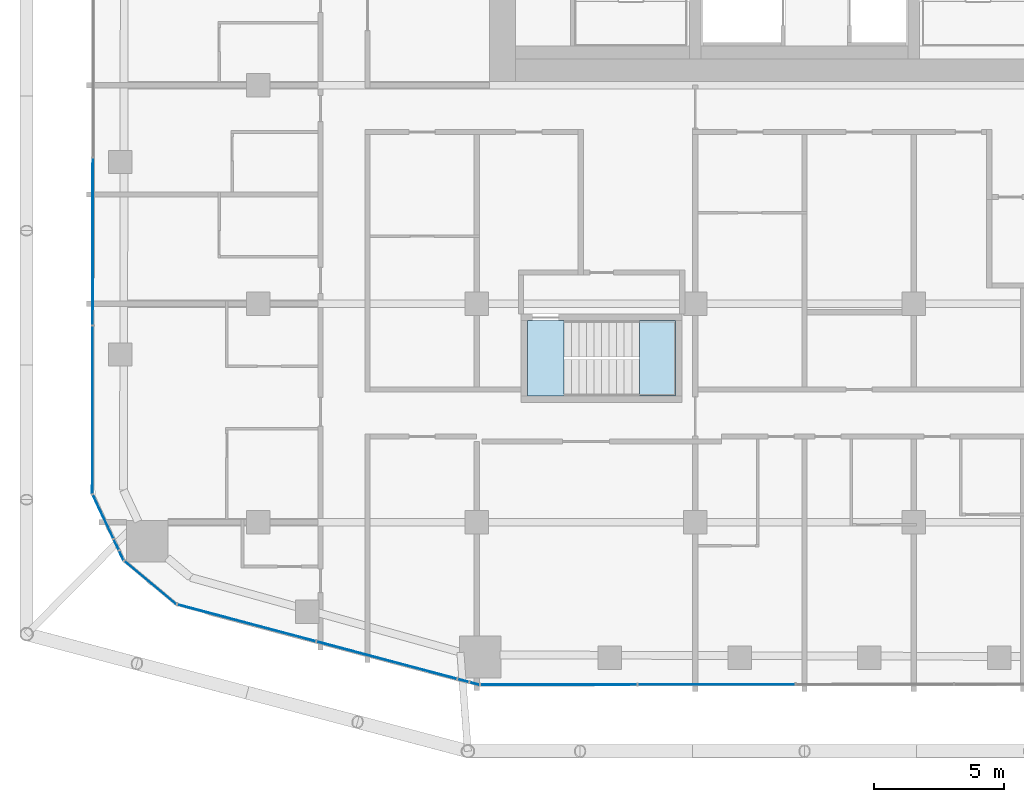
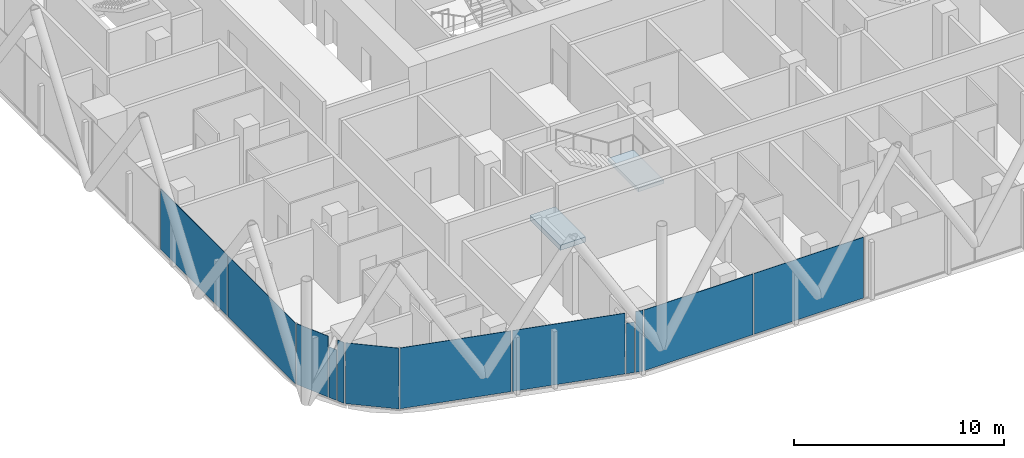
# One storey, part 18 of 33: 12 plates, 2 slabs, 10 elements without a shape of their own.
"""IFC4 building model written with IfcOpenShell, lengths in metres."""

from ifc_helpers import new_model, si_unit, direction, frame, origin, origin_2d, place, context, subcontext, project, spatial, polyline, rectangle, outline, extrude, material, layer, layer_set, type_object, element, aggregate, save


model = new_model("IFC4")

# Units and contexts
model_context = context("Model", 3, precision=1e-05, world=origin(), true_north=direction((0.0, 1.0)))
body_context = subcontext(model_context, "Body", "Model", "MODEL_VIEW")
ifc_project = project(units=[si_unit("LENGTHUNIT", "METRE"), si_unit("AREAUNIT", "SQUARE_METRE"), si_unit("VOLUMEUNIT", "CUBIC_METRE"), si_unit("PLANEANGLEUNIT", "RADIAN"), si_unit("MASSUNIT", "GRAM", prefix="KILO")], contexts=[model_context])

# Site, building, storey
site_placement = place(None, origin())
site = spatial("IfcSite", under=ifc_project, at=site_placement, CompositionType="ELEMENT")
building_placement = place(site_placement, origin())
building = spatial("IfcBuilding", under=site, at=building_placement, Name="Marenta Gate Hotel Tower", CompositionType="ELEMENT")
storey_placement = place(building_placement, frame((0.0, 0.0, 137.300048828125)))
storey = spatial("IfcBuildingStorey", under=building, at=storey_placement, Name="L31", CompositionType="ELEMENT", Elevation=137.300048828125)

# Curtain wall, plates
ifc_material_1 = material(Name="Tinted insulated glass in bronze anodised frame", Category="glass")
ifc_layer_1 = layer(ifc_material_1, 0.1201171875)
ifc_layer_set_1 = layer_set([ifc_layer_1], Name="Tinted insulated glass in bronze anodised frame")
curtain_wall_type = type_object("IfcCurtainWallType", Name="Tower unitised curtain wall CW1", PredefinedType="NOTDEFINED", material=ifc_layer_set_1)
curtain_wall_1_placement = place(storey_placement, origin())
curtain_wall_1 = element("IfcCurtainWall", 1, at=curtain_wall_1_placement, inside=storey, type_object=curtain_wall_type, Name="CW1 run G04", PredefinedType="NOTDEFINED")
ifc_material_2 = material(Name="Tinted insulated glass", Category="glass")
ifc_layer_2 = layer(ifc_material_2, 0.028076171875)
ifc_layer_set_2 = layer_set([ifc_layer_2], Name="Tinted insulated glass")
plate_type = type_object("IfcPlateType", Name="Glass panel CW1 28 mm tinted insulated unit", PredefinedType="CURTAIN_PANEL", material=ifc_layer_set_2)
plate_1_placement = place(storey_placement, frame((-27.35791015625, -6.00390625, 0.059814453125), z_axis=(0.0, 0.0, 1.0), x_axis=(-0.001566045546, -0.99999877375, 0.0)))
plate_1 = element("IfcPlate", 2, at=plate_1_placement, type_object=plate_type, Name="CW1 panel 5.1", PredefinedType="CURTAIN_PANEL", context=body_context, shape_type="SweptSolid", body=[
    extrude(rectangle(XDim=6.39990234375, YDim=0.028076171875, at=origin_2d()), origin(), (0.0, 0.0, 1.0), 3.5400390625),
])
plate_2_placement = place(storey_placement, frame((-27.367919921875, -12.478759765625, 0.059814453125), z_axis=(0.0, 0.0, 1.0), x_axis=(-0.001566045546, -0.99999877375, 0.0)))
plate_2 = element("IfcPlate", 3, at=plate_2_placement, type_object=plate_type, Name="CW1 panel 6.1", PredefinedType="CURTAIN_PANEL", context=body_context, shape_type="SweptSolid", body=[
    extrude(rectangle(XDim=6.429931640625, YDim=0.028076171875, at=origin_2d()), origin(), (0.0, 0.0, 1.0), 3.5400390625),
])
aggregate(curtain_wall_1, [plate_1, plate_2])

# Curtain wall, plate
curtain_wall_2_placement = place(storey_placement, origin())
curtain_wall_2 = element("IfcCurtainWall", 4, at=curtain_wall_2_placement, inside=storey, type_object=curtain_wall_type, Name="CW1 run G05", PredefinedType="NOTDEFINED")
plate_3_placement = place(storey_placement, frame((-26.95849609375, -16.580810546875, 0.059814453125), z_axis=(0.0, 0.0, 1.0), x_axis=(0.423346909938, -0.90596765607, 0.0)))
plate_3 = element("IfcPlate", 5, at=plate_3_placement, type_object=plate_type, Name="CW1 panel 1.1", PredefinedType="CURTAIN_PANEL", context=body_context, shape_type="SweptSolid", body=[
    extrude(rectangle(XDim=1.837890625, YDim=0.028076171875, at=origin_2d()), origin(), (0.0, 0.0, 1.0), 3.5400390625),
])
aggregate(curtain_wall_2, [plate_3])

curtain_wall_3_placement = place(storey_placement, origin())
curtain_wall_3 = element("IfcCurtainWall", 6, at=curtain_wall_3_placement, inside=storey, type_object=curtain_wall_type, Name="CW1 run G06", PredefinedType="NOTDEFINED")
plate_4_placement = place(storey_placement, frame((-26.45458984375, -17.6591796875, 0.06005859375), z_axis=(0.0, 0.0, 1.0), x_axis=(0.423361641148, -0.905960772222, 0.0)))
plate_4 = element("IfcPlate", 7, at=plate_4_placement, type_object=plate_type, Name="CW1 panel 1.1", PredefinedType="CURTAIN_PANEL", context=body_context, shape_type="SweptSolid", body=[
    extrude(rectangle(XDim=0.4228515625, YDim=0.028076171875, at=origin_2d()), origin(), (0.0, 0.0, 1.0), 2.9404296875),
])
aggregate(curtain_wall_3, [plate_4])

curtain_wall_4_placement = place(storey_placement, origin())
curtain_wall_4 = element("IfcCurtainWall", 8, at=curtain_wall_4_placement, inside=storey, type_object=curtain_wall_type, Name="CW1 run G07", PredefinedType="NOTDEFINED")
plate_5_placement = place(storey_placement, frame((-26.25732421875, -18.081298828125, 0.059814453125), z_axis=(0.0, 0.0, 1.0), x_axis=(0.42327548639, -0.906001027936, 0.0)))
plate_5 = element("IfcPlate", 9, at=plate_5_placement, type_object=plate_type, Name="CW1 panel 1.1", PredefinedType="CURTAIN_PANEL", context=body_context, shape_type="SweptSolid", body=[
    extrude(rectangle(XDim=0.38916015625, YDim=0.028076171875, at=origin_2d()), origin(), (0.0, 0.0, 1.0), 3.5400390625),
])
aggregate(curtain_wall_4, [plate_5])

curtain_wall_5_placement = place(storey_placement, origin())
curtain_wall_5 = element("IfcCurtainWall", 10, at=curtain_wall_5_placement, inside=storey, type_object=curtain_wall_type, Name="CW1 run G08", PredefinedType="NOTDEFINED")
plate_6_placement = place(storey_placement, frame((-25.14111328125, -19.1220703125, 0.059814453125), z_axis=(0.0, 0.0, 1.0), x_axis=(0.767112858807, -0.641512168126, 0.0)))
plate_6 = element("IfcPlate", 11, at=plate_6_placement, type_object=plate_type, Name="CW1 panel 1.1", PredefinedType="CURTAIN_PANEL", context=body_context, shape_type="SweptSolid", body=[
    extrude(rectangle(XDim=2.5751953125, YDim=0.028076171875, at=origin_2d()), origin(), (0.0, 0.0, 1.0), 3.5400390625),
])
aggregate(curtain_wall_5, [plate_6])

# Curtain wall, plates
curtain_wall_6_placement = place(storey_placement, origin())
curtain_wall_6 = element("IfcCurtainWall", 12, at=curtain_wall_6_placement, inside=storey, type_object=curtain_wall_type, Name="CW1 run G09", PredefinedType="NOTDEFINED")
plate_7_placement = place(storey_placement, frame((-21.44482421875, -20.6689453125, 0.059814453125), z_axis=(0.0, 0.0, 1.0), x_axis=(0.966373224743, -0.257143521209, 0.0)))
plate_7 = element("IfcPlate", 13, at=plate_7_placement, type_object=plate_type, Name="CW1 panel 1.1", PredefinedType="CURTAIN_PANEL", context=body_context, shape_type="SweptSolid", body=[
    extrude(rectangle(XDim=5.485595703125, YDim=0.028076171875, at=origin_2d()), origin(), (0.0, 0.0, 1.0), 3.5400390625),
])
plate_8_placement = place(storey_placement, frame((-16.056884765625, -22.1025390625, 0.059814453125), z_axis=(0.0, 0.0, 1.0), x_axis=(0.966373224743, -0.257143521209, 0.0)))
plate_8 = element("IfcPlate", 14, at=plate_8_placement, type_object=plate_type, Name="CW1 panel 2.1", PredefinedType="CURTAIN_PANEL", context=body_context, shape_type="SweptSolid", body=[
    extrude(rectangle(XDim=5.54541015625, YDim=0.028076171875, at=origin_2d()), origin(), (0.0, 0.0, 1.0), 3.5400390625),
])
aggregate(curtain_wall_6, [plate_7, plate_8])

# Curtain wall, plate
curtain_wall_7_placement = place(storey_placement, origin())
curtain_wall_7 = element("IfcCurtainWall", 15, at=curtain_wall_7_placement, inside=storey, type_object=curtain_wall_type, Name="CW1 run G10", PredefinedType="NOTDEFINED")
plate_9_placement = place(storey_placement, frame((-13.11669921875, -22.885009765625, 0.06005859375), z_axis=(0.0, 0.0, 1.0), x_axis=(0.966404263523, -0.257026845764, 0.0)))
plate_9 = element("IfcPlate", 16, at=plate_9_placement, type_object=plate_type, Name="CW1 panel 1.1", PredefinedType="CURTAIN_PANEL", context=body_context, shape_type="SweptSolid", body=[
    extrude(rectangle(XDim=0.419677734375, YDim=0.028076171875, at=origin_2d()), origin(), (0.0, 0.0, 1.0), 2.9404296875),
])
aggregate(curtain_wall_7, [plate_9])

curtain_wall_8_placement = place(storey_placement, origin())
curtain_wall_8 = element("IfcCurtainWall", 17, at=curtain_wall_8_placement, inside=storey, type_object=curtain_wall_type, Name="CW1 run G11", PredefinedType="NOTDEFINED")
plate_10_placement = place(storey_placement, frame((-12.680908203125, -23.0009765625, 0.059814453125), z_axis=(0.0, 0.0, 1.0), x_axis=(0.966337096576, -0.257279256414, 0.0)))
plate_10 = element("IfcPlate", 18, at=plate_10_placement, type_object=plate_type, Name="CW1 panel 1.1", PredefinedType="CURTAIN_PANEL", context=body_context, shape_type="SweptSolid", body=[
    extrude(rectangle(XDim=0.362060546875, YDim=0.028076171875, at=origin_2d()), origin(), (0.0, 0.0, 1.0), 3.5400390625),
])
aggregate(curtain_wall_8, [plate_10])

# Curtain wall, plates
curtain_wall_9_placement = place(storey_placement, origin())
curtain_wall_9 = element("IfcCurtainWall", 19, at=curtain_wall_9_placement, inside=storey, type_object=curtain_wall_type, Name="CW1 run G12", PredefinedType="NOTDEFINED")
plate_11_placement = place(storey_placement, frame((-9.449951171875, -23.043212890625, 0.059814453125), z_axis=(0.0, 0.0, 1.0), x_axis=(0.999999068791, 0.00136470383, 0.0)))
plate_11 = element("IfcPlate", 20, at=plate_11_placement, type_object=plate_type, Name="CW1 panel 1.1", PredefinedType="CURTAIN_PANEL", context=body_context, shape_type="SweptSolid", body=[
    extrude(rectangle(XDim=5.991943359375, YDim=0.028076171875, at=origin_2d()), origin(), (0.0, 0.0, 1.0), 3.5400390625),
])
plate_12_placement = place(storey_placement, frame((-3.383056640625, -23.03515625, 0.059814453125), z_axis=(0.0, 0.0, 1.0), x_axis=(0.999999068791, 0.00136470383, 0.0)))
plate_12 = element("IfcPlate", 21, at=plate_12_placement, type_object=plate_type, Name="CW1 panel 2.1", PredefinedType="CURTAIN_PANEL", context=body_context, shape_type="SweptSolid", body=[
    extrude(rectangle(XDim=6.02197265625, YDim=0.028076171875, at=origin_2d()), origin(), (0.0, 0.0, 1.0), 3.5400390625),
])
aggregate(curtain_wall_9, [plate_11, plate_12])

# Stair, slab
ifc_material_3 = material(Name="Concrete C40", Category="concrete")
stair_type = type_object("IfcStairType", Name="Remote exit stair 1400 wide", PredefinedType="HALF_TURN_STAIR", material=ifc_material_3)
stair_placement = place(storey_placement, origin())
stair = element("IfcStair", 22, at=stair_placement, inside=storey, type_object=stair_type, Name="Exit stair RS-Z2-1", PredefinedType="HALF_TURN_STAIR")
ifc_material_4 = material(Name="Concrete C40", Category="concrete")
ifc_layer_3 = layer(ifc_material_4, 0.199951171875)
ifc_layer_set_3 = layer_set([ifc_layer_3], Name="Concrete C40")
slab_type_1 = type_object("IfcSlabType", Name="Remote stair landing 200", PredefinedType="LANDING", material=ifc_layer_set_3)
slab_1_placement = place(storey_placement, frame((0.0, 0.0, 1.599853515625)))
slab_1 = element("IfcSlab", 23, at=slab_1_placement, type_object=slab_type_1, Name="RL-200 RS-Z2-1 landing 1", PredefinedType="LANDING", context=body_context, shape_type="SweptSolid", body=[
    extrude(outline(polyline([(-6.35009765625, -11.949951171875), (-4.949951171875, -11.949951171875), (-4.949951171875, -9.050048828125), (-6.35009765625, -9.050048828125), (-6.35009765625, -11.949951171875)])), origin(), (0.0, 0.0, 1.0), 0.2001953125),
])
aggregate(stair, [slab_1])

# Slab
ifc_material_5 = material(Name="Concrete C40", Category="concrete")
ifc_layer_4 = layer(ifc_material_5, 0.300048828125)
ifc_layer_set_4 = layer_set([ifc_layer_4], Name="Concrete C40")
slab_type_2 = type_object("IfcSlabType", Name="Stair floor landing slab 300", PredefinedType="FLOOR", material=ifc_layer_set_4)
slab_2_placement = place(storey_placement, frame((0.0, 0.0, -0.300048828125)))
element("IfcSlab", 24, at=slab_2_placement, inside=storey, type_object=slab_type_2, Name="L31-RS-Z2-1-CL", PredefinedType="FLOOR", context=body_context, shape_type="SweptSolid", body=[
    extrude(outline(polyline([(-9.25, -11.949951171875), (-9.25, -9.050048828125), (-10.64990234375, -9.050048828125), (-10.64990234375, -11.949951171875), (-9.25, -11.949951171875)])), origin(), (0.0, 0.0, 1.0), 0.300048828125),
])

save(model, "model.ifc")
